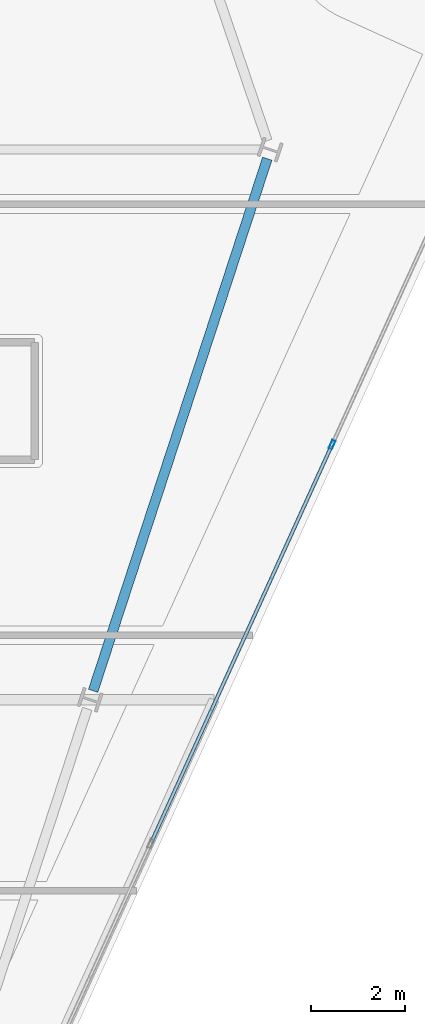
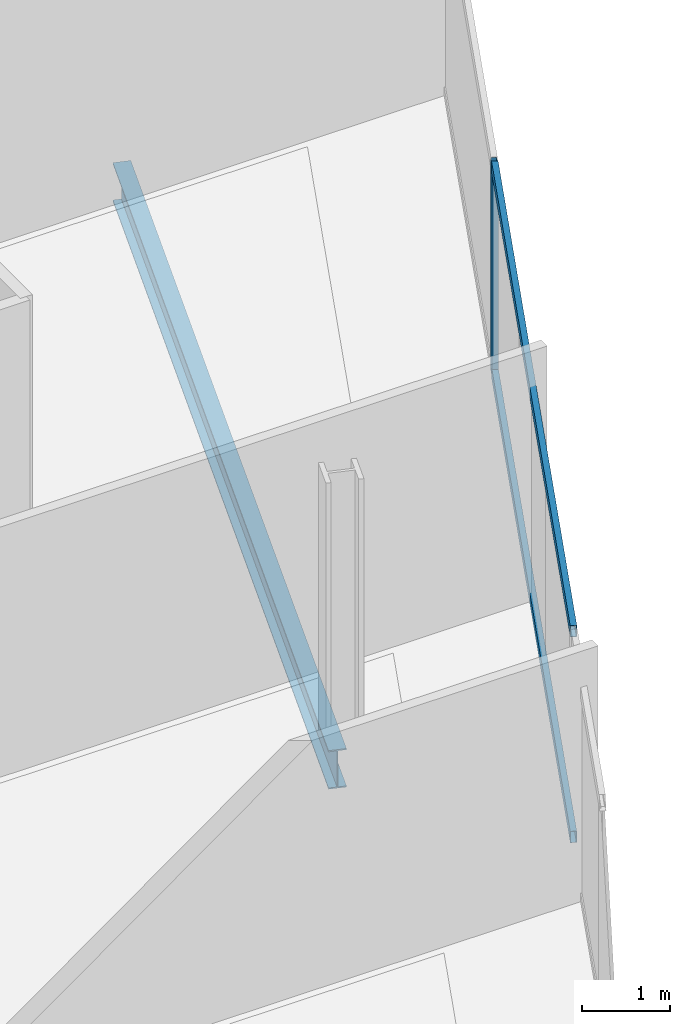
# One storey, part 11 of 26: 3 members, 1 beam, 1 element without a shape of its own.
"""IFC4 building model written with IfcOpenShell, lengths in metres."""

from ifc_helpers import new_model, si_unit, direction, frame, origin, origin_2d, place, context, subcontext, project, spatial, hollow_rectangle, i_section, extrude, material, material_profile, profile_set, type_object, element, aggregate, save


model = new_model("IFC4")

# Units and contexts
model_context = context("Model", 3, precision=1e-05, world=origin(), true_north=direction((0.0, 1.0)))
body_context = subcontext(model_context, "Body", "Model", "MODEL_VIEW")
ifc_project = project(units=[si_unit("LENGTHUNIT", "METRE"), si_unit("AREAUNIT", "SQUARE_METRE"), si_unit("VOLUMEUNIT", "CUBIC_METRE"), si_unit("PLANEANGLEUNIT", "RADIAN"), si_unit("MASSUNIT", "GRAM", prefix="KILO")], contexts=[model_context])

# Site, building, storey
site_placement = place(None, origin())
site = spatial("IfcSite", under=ifc_project, at=site_placement, CompositionType="ELEMENT")
building_placement = place(site_placement, origin())
building = spatial("IfcBuilding", under=site, at=building_placement, Name="Haldenkirk Collegiate Tower", CompositionType="ELEMENT")
storey_placement = place(building_placement, frame((0.0, 0.0, 248.699951171875)))
storey = spatial("IfcBuildingStorey", under=building, at=storey_placement, Name="L62", CompositionType="ELEMENT", Elevation=248.699951171875)

# Beam
ifc_material_1 = material(Name="Steel ASTM A992 Grade 50", Category="steel")
ifc_material_profile_1 = material_profile(ifc_material_1, i_section(OverallWidth=0.2099609375, OverallDepth=0.537109375, WebThickness=0.010986328125, FlangeThickness=0.017333984375, at=origin_2d()), Name="W21X68")
ifc_profile_set_1 = profile_set([ifc_material_profile_1], Name="Steel ASTM A992 Grade 50")
beam_type = type_object("IfcBeamType", Name="BM-SPANDREL-W21X68", PredefinedType="SPANDREL", material=ifc_profile_set_1)
beam_placement = place(storey_placement, frame((55.54638671875, 19.81689453125, -0.538330078125), z_axis=(0.311010188249, 0.950406577631, 0.0), x_axis=(-0.950406577631, 0.311010188249, 0.0)))
element("IfcBeam", 1, at=beam_placement, inside=storey, type_object=beam_type, Name="L62 perimeter spandrel beam 03", PredefinedType="SPANDREL", context=body_context, shape_type="SweptSolid", body=[
    extrude(i_section(OverallWidth=0.2099609375, OverallDepth=0.537109375, WebThickness=0.010986328125, FlangeThickness=0.017333984375, at=origin_2d()), origin(), (0.0, 0.0, 1.0), 11.94287109375),
])

# Curtain wall, members
ifc_material_2 = material(Name="Anodised architectural bronze aluminium", Category="aluminium")
curtain_wall_type = type_object("IfcCurtainWallType", Name="CW-SYS2-CONCAVE", PredefinedType="USERDEFINED", material=ifc_material_2)
curtain_wall_placement = place(storey_placement, origin())
curtain_wall = element("IfcCurtainWall", 2, at=curtain_wall_placement, inside=storey, type_object=curtain_wall_type, Name="L62 South concave recessed bronze-anodised curtain wall", ObjectType="UNITISED CURTAIN WALL", PredefinedType="USERDEFINED")
ifc_material_profile_2 = material_profile(ifc_material_2, hollow_rectangle(XDim=0.074951171875, YDim=0.18994140625, WallThickness=0.0048828125, at=origin_2d()), Name="CW-MUL-02")
ifc_profile_set_2 = profile_set([ifc_material_profile_2], Name="Anodised architectural bronze aluminium")
member_type_1 = type_object("IfcMemberType", Name="CW-MUL-02", PredefinedType="MULLION", material=ifc_profile_set_2)
member_1_placement = place(storey_placement, frame((60.6435546875, 25.06640625, 0.0), z_axis=(0.0, 0.0, 1.0), x_axis=(0.910323160651, -0.413898228049, 0.0)))
member_1 = element("IfcMember", 3, at=member_1_placement, type_object=member_type_1, Name="CW-02 mullion 2", PredefinedType="MULLION", context=body_context, shape_type="SweptSolid", body=[
    extrude(hollow_rectangle(XDim=0.074951171875, YDim=0.18994140625, WallThickness=0.0048828125, at=origin_2d()), origin(), (0.0, 0.0, 1.0), 2.93798828125),
])
ifc_material_profile_3 = material_profile(ifc_material_2, hollow_rectangle(XDim=0.074951171875, YDim=0.159912109375, WallThickness=0.0048828125, at=origin_2d()), Name="CW-TRN-02")
ifc_profile_set_3 = profile_set([ifc_material_profile_3], Name="Anodised architectural bronze aluminium")
member_type_2 = type_object("IfcMemberType", Name="CW-TRN-02", PredefinedType="USERDEFINED", material=ifc_profile_set_3)
member_2_placement = place(storey_placement, frame((60.6279296875, 25.0322265625, 0.03759765625), z_axis=(-0.413890202281, -0.910326809698, 0.0), x_axis=(0.910326809698, -0.413890202281, 0.0)))
member_2 = element("IfcMember", 4, at=member_2_placement, type_object=member_type_2, Name="CW-02 transom 2.1", ObjectType="TRANSOM", PredefinedType="USERDEFINED", context=body_context, shape_type="SweptSolid", body=[
    extrude(hollow_rectangle(XDim=0.074951171875, YDim=0.159912109375, WallThickness=0.0048828125, at=origin_2d()), origin(), (0.0, 0.0, 1.0), 9.275146484375),
])
member_3_placement = place(storey_placement, frame((60.6279296875, 25.0322265625, 2.900634765625), z_axis=(-0.413890202281, -0.910326809698, 0.0), x_axis=(0.910326809698, -0.413890202281, 0.0)))
member_3 = element("IfcMember", 5, at=member_3_placement, type_object=member_type_2, Name="CW-02 transom 2.2", ObjectType="TRANSOM", PredefinedType="USERDEFINED", context=body_context, shape_type="SweptSolid", body=[
    extrude(hollow_rectangle(XDim=0.074951171875, YDim=0.159912109375, WallThickness=0.0048828125, at=origin_2d()), origin(), (0.0, 0.0, 1.0), 9.275146484375),
])
aggregate(curtain_wall, [member_1, member_2, member_3])

save(model, "model.ifc")
